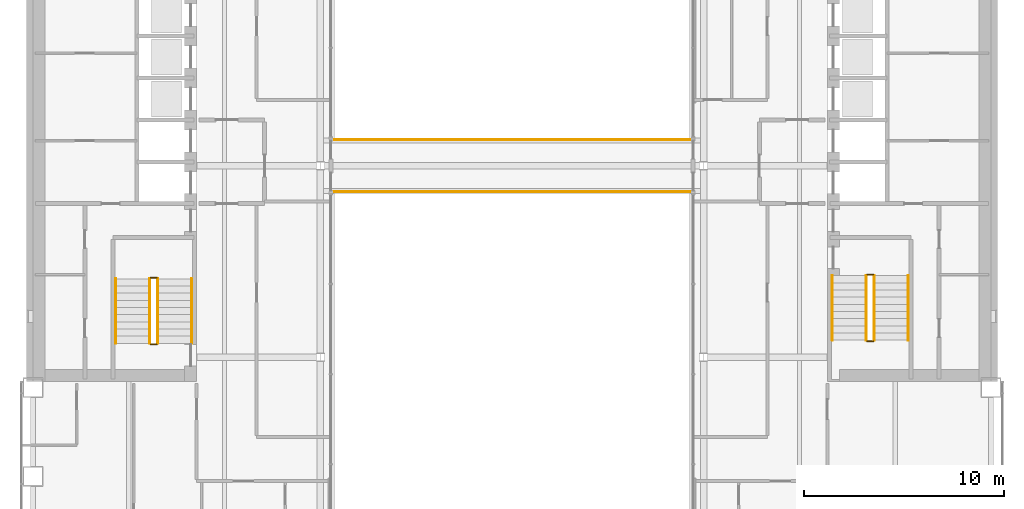
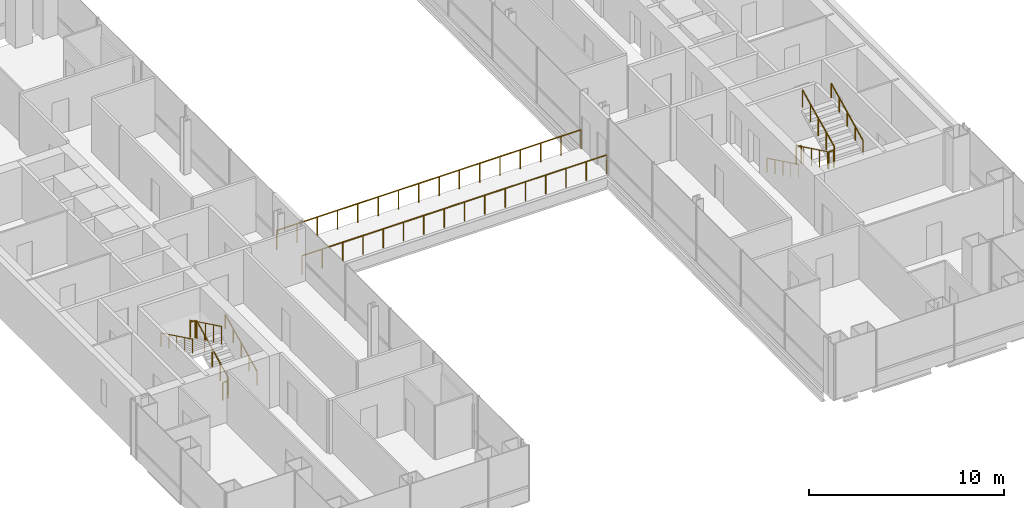
# One storey, part 18 of 19: 14 railings.
"""IFC4 building model written with IfcOpenShell, lengths in metres."""

from ifc_helpers import new_model, si_unit, direction, frame, origin, origin_2d, place, context, subcontext, project, spatial, circle, extrude, material, type_object, element, save


model = new_model("IFC4")

# Units and contexts
model_context = context("Model", 3, precision=1e-05, world=origin(), true_north=direction((0.0, 1.0)))
body_context = subcontext(model_context, "Body", "Model", "MODEL_VIEW")
ifc_project = project(units=[si_unit("LENGTHUNIT", "METRE"), si_unit("AREAUNIT", "SQUARE_METRE"), si_unit("VOLUMEUNIT", "CUBIC_METRE"), si_unit("PLANEANGLEUNIT", "RADIAN"), si_unit("MASSUNIT", "GRAM", prefix="KILO")], contexts=[model_context])

# Site, building, storey
site_placement = place(None, origin())
site = spatial("IfcSite", under=ifc_project, at=site_placement, CompositionType="ELEMENT")
building_placement = place(site_placement, origin())
building = spatial("IfcBuilding", under=site, at=building_placement, Name="Cobrizo Arcos Hotel Tower", CompositionType="ELEMENT")
storey_placement = place(building_placement, frame((0.0, 0.0, 63.5)))
storey = spatial("IfcBuildingStorey", under=building, at=storey_placement, Name="L14", CompositionType="ELEMENT", Elevation=63.5)

# Railings
ifc_material = material(Name="Stainless steel railing", Category="steel")
railing_type_1 = type_object("IfcRailingType", Name="Sky bridge guard 1200", PredefinedType="GUARDRAIL", material=ifc_material)
railing_1_placement = place(storey_placement, frame((-9.0, 1.300048828125, 0.0)))
element("IfcRailing", 1, at=railing_1_placement, inside=storey, type_object=railing_type_1, Name="Sky bridge north guard", PredefinedType="GUARDRAIL", context=body_context, shape_type="SweptSolid", body=[
    extrude(circle(Radius=0.02392578125, at=origin_2d()), frame((0.0, 0.0, 1.17578125), z_axis=(1.0, 0.0, 0.0), x_axis=(0.0, 1.0, 0.0)), (0.0, 0.0, 1.0), 18.0),
    extrude(circle(Radius=0.02099609375, at=origin_2d()), origin(), (0.0, 0.0, 1.0), 1.15185546875),
    extrude(circle(Radius=0.02099609375, at=origin_2d()), frame((1.199951171875, 0.0, 0.0)), (0.0, 0.0, 1.0), 1.15185546875),
    extrude(circle(Radius=0.02099609375, at=origin_2d()), frame((2.39990234375, 0.0, 0.0)), (0.0, 0.0, 1.0), 1.15185546875),
    extrude(circle(Radius=0.02099609375, at=origin_2d()), frame((3.60009765625, 0.0, 0.0)), (0.0, 0.0, 1.0), 1.15185546875),
    extrude(circle(Radius=0.02099609375, at=origin_2d()), frame((4.800048828125, 0.0, 0.0)), (0.0, 0.0, 1.0), 1.15185546875),
    extrude(circle(Radius=0.02099609375, at=origin_2d()), frame((6.0, 0.0, 0.0)), (0.0, 0.0, 1.0), 1.15185546875),
    extrude(circle(Radius=0.02099609375, at=origin_2d()), frame((7.199951171875, 0.0, 0.0)), (0.0, 0.0, 1.0), 1.15185546875),
    extrude(circle(Radius=0.02099609375, at=origin_2d()), frame((8.39990234375, 0.0, 0.0)), (0.0, 0.0, 1.0), 1.15185546875),
    extrude(circle(Radius=0.02099609375, at=origin_2d()), frame((9.60009765625, 0.0, 0.0)), (0.0, 0.0, 1.0), 1.15185546875),
    extrude(circle(Radius=0.02099609375, at=origin_2d()), frame((10.800048828125, 0.0, 0.0)), (0.0, 0.0, 1.0), 1.15185546875),
    extrude(circle(Radius=0.02099609375, at=origin_2d()), frame((12.0, 0.0, 0.0)), (0.0, 0.0, 1.0), 1.15185546875),
    extrude(circle(Radius=0.02099609375, at=origin_2d()), frame((13.199951171875, 0.0, 0.0)), (0.0, 0.0, 1.0), 1.15185546875),
    extrude(circle(Radius=0.02099609375, at=origin_2d()), frame((14.39990234375, 0.0, 0.0)), (0.0, 0.0, 1.0), 1.15185546875),
    extrude(circle(Radius=0.02099609375, at=origin_2d()), frame((15.60009765625, 0.0, 0.0)), (0.0, 0.0, 1.0), 1.15185546875),
    extrude(circle(Radius=0.02099609375, at=origin_2d()), frame((16.800048828125, 0.0, 0.0)), (0.0, 0.0, 1.0), 1.15185546875),
    extrude(circle(Radius=0.02099609375, at=origin_2d()), frame((18.0, 0.0, 0.0)), (0.0, 0.0, 1.0), 1.15185546875),
])
railing_2_placement = place(storey_placement, frame((-9.0, -1.300048828125, 0.0)))
element("IfcRailing", 2, at=railing_2_placement, inside=storey, type_object=railing_type_1, Name="Sky bridge south guard", PredefinedType="GUARDRAIL", context=body_context, shape_type="SweptSolid", body=[
    extrude(circle(Radius=0.02392578125, at=origin_2d()), frame((0.0, 0.0, 1.17578125), z_axis=(1.0, 0.0, 0.0), x_axis=(0.0, 1.0, 0.0)), (0.0, 0.0, 1.0), 18.0),
    extrude(circle(Radius=0.02099609375, at=origin_2d()), origin(), (0.0, 0.0, 1.0), 1.15185546875),
    extrude(circle(Radius=0.02099609375, at=origin_2d()), frame((1.199951171875, 0.0, 0.0)), (0.0, 0.0, 1.0), 1.15185546875),
    extrude(circle(Radius=0.02099609375, at=origin_2d()), frame((2.39990234375, 0.0, 0.0)), (0.0, 0.0, 1.0), 1.15185546875),
    extrude(circle(Radius=0.02099609375, at=origin_2d()), frame((3.60009765625, 0.0, 0.0)), (0.0, 0.0, 1.0), 1.15185546875),
    extrude(circle(Radius=0.02099609375, at=origin_2d()), frame((4.800048828125, 0.0, 0.0)), (0.0, 0.0, 1.0), 1.15185546875),
    extrude(circle(Radius=0.02099609375, at=origin_2d()), frame((6.0, 0.0, 0.0)), (0.0, 0.0, 1.0), 1.15185546875),
    extrude(circle(Radius=0.02099609375, at=origin_2d()), frame((7.199951171875, 0.0, 0.0)), (0.0, 0.0, 1.0), 1.15185546875),
    extrude(circle(Radius=0.02099609375, at=origin_2d()), frame((8.39990234375, 0.0, 0.0)), (0.0, 0.0, 1.0), 1.15185546875),
    extrude(circle(Radius=0.02099609375, at=origin_2d()), frame((9.60009765625, 0.0, 0.0)), (0.0, 0.0, 1.0), 1.15185546875),
    extrude(circle(Radius=0.02099609375, at=origin_2d()), frame((10.800048828125, 0.0, 0.0)), (0.0, 0.0, 1.0), 1.15185546875),
    extrude(circle(Radius=0.02099609375, at=origin_2d()), frame((12.0, 0.0, 0.0)), (0.0, 0.0, 1.0), 1.15185546875),
    extrude(circle(Radius=0.02099609375, at=origin_2d()), frame((13.199951171875, 0.0, 0.0)), (0.0, 0.0, 1.0), 1.15185546875),
    extrude(circle(Radius=0.02099609375, at=origin_2d()), frame((14.39990234375, 0.0, 0.0)), (0.0, 0.0, 1.0), 1.15185546875),
    extrude(circle(Radius=0.02099609375, at=origin_2d()), frame((15.60009765625, 0.0, 0.0)), (0.0, 0.0, 1.0), 1.15185546875),
    extrude(circle(Radius=0.02099609375, at=origin_2d()), frame((16.800048828125, 0.0, 0.0)), (0.0, 0.0, 1.0), 1.15185546875),
    extrude(circle(Radius=0.02099609375, at=origin_2d()), frame((18.0, 0.0, 0.0)), (0.0, 0.0, 1.0), 1.15185546875),
])
railing_type_2 = type_object("IfcRailingType", Name="Stair guard 1100", PredefinedType="GUARDRAIL", material=ifc_material)
railing_3_placement = place(storey_placement, frame((-17.75, -8.89990234375, 0.175048828125)))
element("IfcRailing", 3, at=railing_3_placement, inside=storey, type_object=railing_type_2, Name="L14 ST-W stair guard 1", PredefinedType="GUARDRAIL", context=body_context, shape_type="SweptSolid", body=[
    extrude(circle(Radius=0.02392578125, at=origin_2d()), frame((0.0, 0.0, 1.076171875), z_axis=(0.0, 0.899372665325, 0.437182809435), x_axis=(-1.0, 0.0, 0.0)), (0.0, 0.0, 1.0), 3.6025390625),
    extrude(circle(Radius=0.02099609375, at=origin_2d()), origin(), (0.0, 0.0, 1.0), 1.052001953125),
    extrude(circle(Radius=0.02099609375, at=origin_2d()), frame((0.0, 0.81005859375, 0.393798828125)), (0.0, 0.0, 1.0), 1.052001953125),
    extrude(circle(Radius=0.02099609375, at=origin_2d()), frame((0.0, 1.6201171875, 0.78759765625)), (0.0, 0.0, 1.0), 1.052001953125),
    extrude(circle(Radius=0.02099609375, at=origin_2d()), frame((0.0, 2.429931640625, 1.18115234375)), (0.0, 0.0, 1.0), 1.052001953125),
    extrude(circle(Radius=0.02099609375, at=origin_2d()), frame((0.0, 3.239990234375, 1.574951171875)), (0.0, 0.0, 1.0), 1.052001953125),
])
railing_4_placement = place(storey_placement, frame((-17.800048828125, -5.610107421875, 1.75)))
element("IfcRailing", 4, at=railing_4_placement, inside=storey, type_object=railing_type_2, Name="L14 ST-W stair guard 2", PredefinedType="GUARDRAIL", context=body_context, shape_type="SweptSolid", body=[
    extrude(circle(Radius=0.02392578125, at=origin_2d()), frame((0.0, 0.0, 1.076171875), z_axis=(-1.0, 0.0, 0.0), x_axis=(0.0, -1.0, 0.0)), (0.0, 0.0, 1.0), 0.300048828125),
    extrude(circle(Radius=0.02099609375, at=origin_2d()), origin(), (0.0, 0.0, 1.0), 1.052001953125),
    extrude(circle(Radius=0.02099609375, at=origin_2d()), frame((-0.300048828125, 0.0, 0.0)), (0.0, 0.0, 1.0), 1.052001953125),
])
railing_5_placement = place(storey_placement, frame((-18.14990234375, -5.659912109375, 1.925048828125)))
element("IfcRailing", 5, at=railing_5_placement, inside=storey, type_object=railing_type_2, Name="L14 ST-W stair guard 3", PredefinedType="GUARDRAIL", context=body_context, shape_type="SweptSolid", body=[
    extrude(circle(Radius=0.02392578125, at=origin_2d()), frame((0.0, 0.0, 1.076171875), z_axis=(0.0, -0.899372665325, 0.437182809435), x_axis=(1.0, 0.0, 0.0)), (0.0, 0.0, 1.0), 3.6025390625),
    extrude(circle(Radius=0.02099609375, at=origin_2d()), origin(), (0.0, 0.0, 1.0), 1.052001953125),
    extrude(circle(Radius=0.02099609375, at=origin_2d()), frame((0.0, -0.81005859375, 0.393798828125)), (0.0, 0.0, 1.0), 1.052001953125),
    extrude(circle(Radius=0.02099609375, at=origin_2d()), frame((0.0, -1.6201171875, 0.78759765625)), (0.0, 0.0, 1.0), 1.052001953125),
    extrude(circle(Radius=0.02099609375, at=origin_2d()), frame((0.0, -2.429931640625, 1.18115234375)), (0.0, 0.0, 1.0), 1.052001953125),
    extrude(circle(Radius=0.02099609375, at=origin_2d()), frame((0.0, -3.239990234375, 1.574951171875)), (0.0, 0.0, 1.0), 1.052001953125),
])
railing_6_placement = place(storey_placement, frame((-17.800048828125, -8.949951171875, 0.0)))
element("IfcRailing", 6, at=railing_6_placement, inside=storey, type_object=railing_type_2, Name="L14 ST-W stair guard 4", PredefinedType="GUARDRAIL", context=body_context, shape_type="SweptSolid", body=[
    extrude(circle(Radius=0.02392578125, at=origin_2d()), frame((0.0, 0.0, 1.076171875), z_axis=(-1.0, 0.0, 0.0), x_axis=(0.0, -1.0, 0.0)), (0.0, 0.0, 1.0), 0.300048828125),
    extrude(circle(Radius=0.02099609375, at=origin_2d()), origin(), (0.0, 0.0, 1.0), 1.052001953125),
    extrude(circle(Radius=0.02099609375, at=origin_2d()), frame((-0.300048828125, 0.0, 0.0)), (0.0, 0.0, 1.0), 1.052001953125),
])
railing_7_placement = place(storey_placement, frame((17.75, -5.5, 0.175048828125)))
element("IfcRailing", 7, at=railing_7_placement, inside=storey, type_object=railing_type_2, Name="L14 ST-E stair guard 1", PredefinedType="GUARDRAIL", context=body_context, shape_type="SweptSolid", body=[
    extrude(circle(Radius=0.02392578125, at=origin_2d()), frame((0.0, 0.0, 1.076171875), z_axis=(0.0, -0.899372665325, 0.437182809435), x_axis=(1.0, 0.0, 0.0)), (0.0, 0.0, 1.0), 3.6025390625),
    extrude(circle(Radius=0.02099609375, at=origin_2d()), origin(), (0.0, 0.0, 1.0), 1.052001953125),
    extrude(circle(Radius=0.02099609375, at=origin_2d()), frame((0.0, -0.81005859375, 0.393798828125)), (0.0, 0.0, 1.0), 1.052001953125),
    extrude(circle(Radius=0.02099609375, at=origin_2d()), frame((0.0, -1.6201171875, 0.78759765625)), (0.0, 0.0, 1.0), 1.052001953125),
    extrude(circle(Radius=0.02099609375, at=origin_2d()), frame((0.0, -2.429931640625, 1.18115234375)), (0.0, 0.0, 1.0), 1.052001953125),
    extrude(circle(Radius=0.02099609375, at=origin_2d()), frame((0.0, -3.239990234375, 1.574951171875)), (0.0, 0.0, 1.0), 1.052001953125),
])
railing_8_placement = place(storey_placement, frame((17.800048828125, -8.7900390625, 1.75)))
element("IfcRailing", 8, at=railing_8_placement, inside=storey, type_object=railing_type_2, Name="L14 ST-E stair guard 2", PredefinedType="GUARDRAIL", context=body_context, shape_type="SweptSolid", body=[
    extrude(circle(Radius=0.02392578125, at=origin_2d()), frame((0.0, 0.0, 1.076171875), z_axis=(1.0, 0.0, 0.0), x_axis=(0.0, 1.0, 0.0)), (0.0, 0.0, 1.0), 0.300048828125),
    extrude(circle(Radius=0.02099609375, at=origin_2d()), origin(), (0.0, 0.0, 1.0), 1.052001953125),
    extrude(circle(Radius=0.02099609375, at=origin_2d()), frame((0.300048828125, 0.0, 0.0)), (0.0, 0.0, 1.0), 1.052001953125),
])
railing_9_placement = place(storey_placement, frame((18.14990234375, -8.739990234375, 1.925048828125)))
element("IfcRailing", 9, at=railing_9_placement, inside=storey, type_object=railing_type_2, Name="L14 ST-E stair guard 3", PredefinedType="GUARDRAIL", context=body_context, shape_type="SweptSolid", body=[
    extrude(circle(Radius=0.02392578125, at=origin_2d()), frame((0.0, 0.0, 1.076171875), z_axis=(0.0, 0.899372665325, 0.437182809435), x_axis=(-1.0, 0.0, 0.0)), (0.0, 0.0, 1.0), 3.6025390625),
    extrude(circle(Radius=0.02099609375, at=origin_2d()), origin(), (0.0, 0.0, 1.0), 1.052001953125),
    extrude(circle(Radius=0.02099609375, at=origin_2d()), frame((0.0, 0.81005859375, 0.393798828125)), (0.0, 0.0, 1.0), 1.052001953125),
    extrude(circle(Radius=0.02099609375, at=origin_2d()), frame((0.0, 1.6201171875, 0.78759765625)), (0.0, 0.0, 1.0), 1.052001953125),
    extrude(circle(Radius=0.02099609375, at=origin_2d()), frame((0.0, 2.429931640625, 1.18115234375)), (0.0, 0.0, 1.0), 1.052001953125),
    extrude(circle(Radius=0.02099609375, at=origin_2d()), frame((0.0, 3.239990234375, 1.574951171875)), (0.0, 0.0, 1.0), 1.052001953125),
])
railing_10_placement = place(storey_placement, frame((17.800048828125, -5.449951171875, 0.0)))
element("IfcRailing", 10, at=railing_10_placement, inside=storey, type_object=railing_type_2, Name="L14 ST-E stair guard 4", PredefinedType="GUARDRAIL", context=body_context, shape_type="SweptSolid", body=[
    extrude(circle(Radius=0.02392578125, at=origin_2d()), frame((0.0, 0.0, 1.076171875), z_axis=(1.0, 0.0, 0.0), x_axis=(0.0, 1.0, 0.0)), (0.0, 0.0, 1.0), 0.300048828125),
    extrude(circle(Radius=0.02099609375, at=origin_2d()), origin(), (0.0, 0.0, 1.0), 1.052001953125),
    extrude(circle(Radius=0.02099609375, at=origin_2d()), frame((0.300048828125, 0.0, 0.0)), (0.0, 0.0, 1.0), 1.052001953125),
])
railing_type_3 = type_object("IfcRailingType", Name="Stair handrail", PredefinedType="HANDRAIL", material=ifc_material)
railing_11_placement = place(storey_placement, frame((-16.050048828125, -8.89990234375, 0.175048828125)))
element("IfcRailing", 11, at=railing_11_placement, inside=storey, type_object=railing_type_3, Name="L14 ST-W stair handrail 1", PredefinedType="HANDRAIL", context=body_context, shape_type="SweptSolid", body=[
    extrude(circle(Radius=0.02392578125, at=origin_2d()), frame((0.0, 0.0, 0.8759765625), z_axis=(0.0, 0.899372665325, 0.437182809435), x_axis=(-1.0, 0.0, 0.0)), (0.0, 0.0, 1.0), 3.6025390625),
    extrude(circle(Radius=0.02099609375, at=origin_2d()), origin(), (0.0, 0.0, 1.0), 0.851806640625),
    extrude(circle(Radius=0.02099609375, at=origin_2d()), frame((0.0, 0.81005859375, 0.393798828125)), (0.0, 0.0, 1.0), 0.851806640625),
    extrude(circle(Radius=0.02099609375, at=origin_2d()), frame((0.0, 1.6201171875, 0.78759765625)), (0.0, 0.0, 1.0), 0.851806640625),
    extrude(circle(Radius=0.02099609375, at=origin_2d()), frame((0.0, 2.429931640625, 1.18115234375)), (0.0, 0.0, 1.0), 0.851806640625),
    extrude(circle(Radius=0.02099609375, at=origin_2d()), frame((0.0, 3.239990234375, 1.574951171875)), (0.0, 0.0, 1.0), 0.851806640625),
])
for number, where, name in (
    (12, (-19.85009765625, -5.659912109375, 1.925048828125), "L14 ST-W stair handrail 2"),
    (13, (16.050048828125, -5.5, 0.175048828125), "L14 ST-E stair handrail 1"),
):
    element("IfcRailing", number, at=place(storey_placement, frame(where)), inside=storey, type_object=railing_type_3, Name=name, PredefinedType="HANDRAIL", context=body_context, shape_type="SweptSolid", body=[
        extrude(circle(Radius=0.02392578125, at=origin_2d()), frame((0.0, 0.0, 0.8759765625), z_axis=(0.0, -0.899372665325, 0.437182809435), x_axis=(1.0, 0.0, 0.0)), (0.0, 0.0, 1.0), 3.6025390625),
        extrude(circle(Radius=0.02099609375, at=origin_2d()), origin(), (0.0, 0.0, 1.0), 0.851806640625),
        extrude(circle(Radius=0.02099609375, at=origin_2d()), frame((0.0, -0.81005859375, 0.393798828125)), (0.0, 0.0, 1.0), 0.851806640625),
        extrude(circle(Radius=0.02099609375, at=origin_2d()), frame((0.0, -1.6201171875, 0.78759765625)), (0.0, 0.0, 1.0), 0.851806640625),
        extrude(circle(Radius=0.02099609375, at=origin_2d()), frame((0.0, -2.429931640625, 1.18115234375)), (0.0, 0.0, 1.0), 0.851806640625),
        extrude(circle(Radius=0.02099609375, at=origin_2d()), frame((0.0, -3.239990234375, 1.574951171875)), (0.0, 0.0, 1.0), 0.851806640625),
    ])
railing_12_placement = place(storey_placement, frame((19.85009765625, -8.739990234375, 1.925048828125)))
element("IfcRailing", 14, at=railing_12_placement, inside=storey, type_object=railing_type_3, Name="L14 ST-E stair handrail 2", PredefinedType="HANDRAIL", context=body_context, shape_type="SweptSolid", body=[
    extrude(circle(Radius=0.02392578125, at=origin_2d()), frame((0.0, 0.0, 0.8759765625), z_axis=(0.0, 0.899372665325, 0.437182809435), x_axis=(-1.0, 0.0, 0.0)), (0.0, 0.0, 1.0), 3.6025390625),
    extrude(circle(Radius=0.02099609375, at=origin_2d()), origin(), (0.0, 0.0, 1.0), 0.851806640625),
    extrude(circle(Radius=0.02099609375, at=origin_2d()), frame((0.0, 0.81005859375, 0.393798828125)), (0.0, 0.0, 1.0), 0.851806640625),
    extrude(circle(Radius=0.02099609375, at=origin_2d()), frame((0.0, 1.6201171875, 0.78759765625)), (0.0, 0.0, 1.0), 0.851806640625),
    extrude(circle(Radius=0.02099609375, at=origin_2d()), frame((0.0, 2.429931640625, 1.18115234375)), (0.0, 0.0, 1.0), 0.851806640625),
    extrude(circle(Radius=0.02099609375, at=origin_2d()), frame((0.0, 3.239990234375, 1.574951171875)), (0.0, 0.0, 1.0), 0.851806640625),
])

save(model, "model.ifc")
